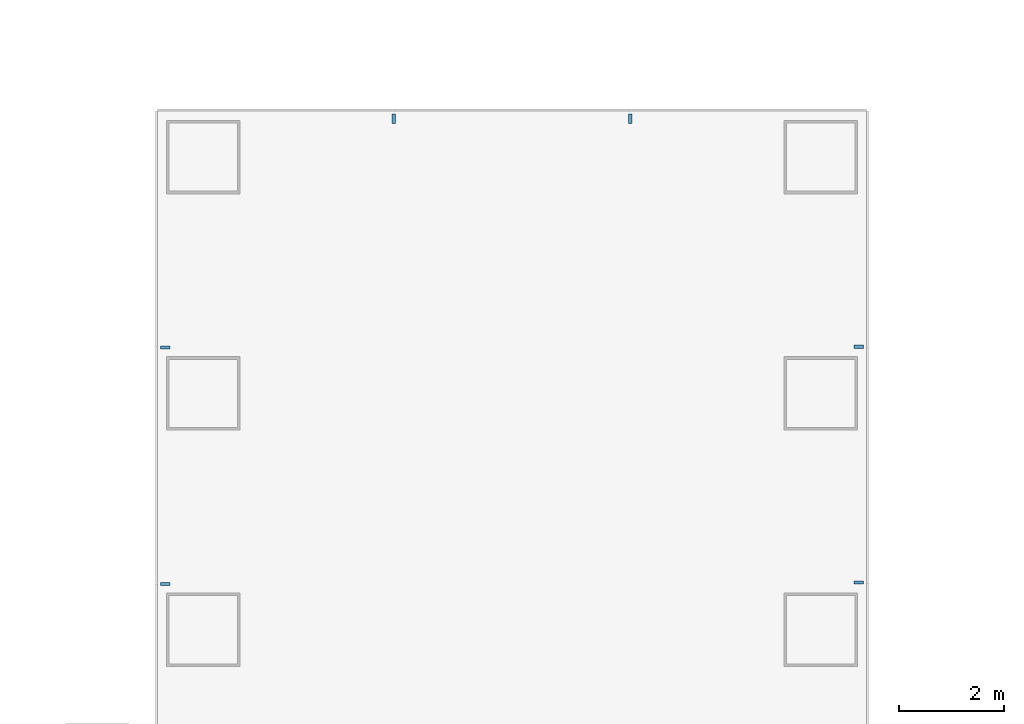
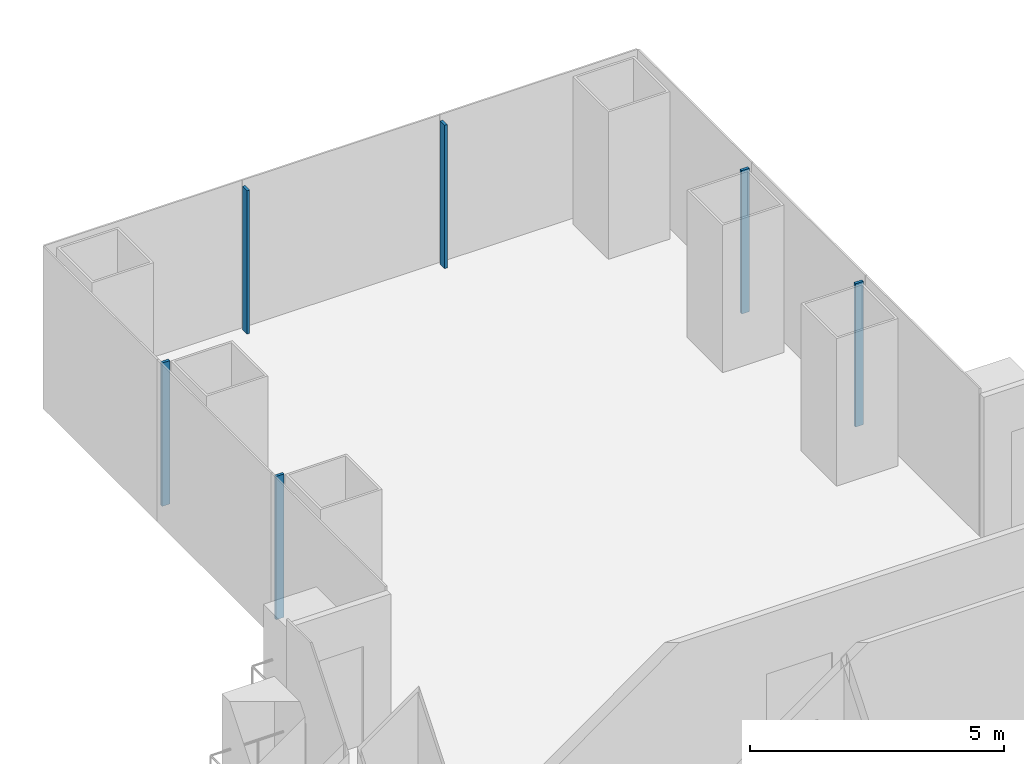
# One storey, part 6 of 21: 6 members, 3 elements without a shape of their own.
"""IFC4 building model written with IfcOpenShell, lengths in metres."""

import ifcopenshell
import ifcopenshell.guid

model = None  # the IFC model being written
_history = None  # IfcOwnerHistory: only IFC2X3 demands one
_inside = {}  # id of a spatial element -> (the spatial element, [elements in it])
_under = {}  # id of a project, library or spatial element -> (it, [spatial elements below it])
_declared = {}  # id of a project -> (the project, [libraries it declares])
_typed = {}  # id of a type object -> (the type object, [elements of that type])
_made_of = {}  # id of a material, layer set ... -> (it, [elements and type objects made of it])


def new_model(schema):
    """Start an empty IFC model of exactly this schema.

    Asked for "IFC4X3", IfcOpenShell would pick the latest addendum, in which some entities
    have other attributes; the version numbers below select the first issue.
    IFC2X3 requires an IfcOwnerHistory on every rooted entity: one is made here for all.
    """
    global model, _history
    if schema == "IFC4X3":
        model = ifcopenshell.file(schema_version=(4, 3, 0, 0))
    else:
        model = ifcopenshell.file(schema=schema)
    _inside.clear()
    _under.clear()
    _declared.clear()
    _typed.clear()
    _made_of.clear()
    _history = None
    if model.schema == "IFC2X3":
        org = make("IfcOrganization", Name="unknown")
        user = make(
            "IfcPersonAndOrganization",
            ThePerson=make("IfcPerson", FamilyName="unknown"),
            TheOrganization=org,
        )
        app = make(
            "IfcApplication",
            ApplicationDeveloper=org,
            Version="unknown",
            ApplicationFullName="unknown",
            ApplicationIdentifier="unknown",
        )
        _history = make(
            "IfcOwnerHistory",
            OwningUser=user,
            OwningApplication=app,
            ChangeAction="ADDED",
            CreationDate=0,
        )
    return model


def make(cls, **values):
    """One entity of the class cls with the attributes given. An attribute that is None is left unset."""
    return model.create_entity(
        cls, **{name: value for name, value in values.items() if value is not None}
    )


def rooted(cls, **values):
    """An entity with a GlobalId (a new one), such as an element, a storey or a relation."""
    return make(cls, GlobalId=ifcopenshell.guid.new(), OwnerHistory=_history, **values)


def si_unit(unit_type, name, prefix=None):
    """IfcSIUnit, for example si_unit("LENGTHUNIT", "METRE", prefix="MILLI")."""
    return make("IfcSIUnit", UnitType=unit_type, Prefix=prefix, Name=name)


def assignment(units):
    """IfcUnitAssignment: the units of a project."""
    return None if units is None else make("IfcUnitAssignment", Units=units)


def point(xyz):
    """IfcCartesianPoint."""
    return None if xyz is None else make("IfcCartesianPoint", Coordinates=xyz)


def direction(xyz):
    """IfcDirection."""
    return None if xyz is None else make("IfcDirection", DirectionRatios=xyz)


def frame(location, z_axis=None, x_axis=None):
    """IfcAxis2Placement3D, a coordinate frame: its origin and axes. An axis left out is left unset."""
    return make(
        "IfcAxis2Placement3D",
        Location=point(location),
        Axis=direction(z_axis),
        RefDirection=direction(x_axis),
    )


def frame_2d(location, x_axis=None):
    """IfcAxis2Placement2D, a coordinate frame in the plane: its origin and x axis."""
    return make(
        "IfcAxis2Placement2D", Location=point(location), RefDirection=direction(x_axis)
    )


def origin():
    """The frame at (0, 0, 0) with its axes left unset."""
    return frame((0.0, 0.0, 0.0))


def origin_2d():
    """The frame at (0, 0) in the plane with its x axis left unset."""
    return frame_2d((0.0, 0.0))


def place(relative_to, where):
    """IfcLocalPlacement: puts the frame where relative to a parent placement (None: the world)."""
    return make(
        "IfcLocalPlacement", PlacementRelTo=relative_to, RelativePlacement=where
    )


def context(
    kind, dimensions, precision=None, world=None, true_north=None, identifier=None
):
    """IfcGeometricRepresentationContext, for example the 3D "Model" context."""
    return make(
        "IfcGeometricRepresentationContext",
        ContextIdentifier=identifier,
        ContextType=kind,
        CoordinateSpaceDimension=dimensions,
        Precision=precision,
        WorldCoordinateSystem=world,
        TrueNorth=true_north,
    )


def subcontext(parent, identifier, kind, view, scale=None):
    """IfcGeometricRepresentationSubContext, for example "Body" below "Model"."""
    return make(
        "IfcGeometricRepresentationSubContext",
        ContextIdentifier=identifier,
        ContextType=kind,
        ParentContext=parent,
        TargetScale=scale,
        TargetView=view,
    )


def project(units=None, contexts=None):
    """IfcProject with its units and contexts."""
    return rooted(
        "IfcProject",
        Name="project",
        RepresentationContexts=contexts,
        UnitsInContext=assignment(units),
    )


def spatial(cls, under=None, at=None, **own):
    """A site, building, storey or space (cls), placed at a placement, below another one or the project."""
    s = rooted(cls, ObjectPlacement=at, **own)
    if under is not None:
        _under.setdefault(under.id(), (under, []))[1].append(s)
    return s


def profile(cls, at=None, kind="AREA", **sizes):
    """A parametric profile (cls). Its sizes go by their IFC names, for example OverallWidth=200.0."""
    return make(cls, ProfileType=kind, Position=at, **sizes)


def rectangle(**sizes):
    """IfcRectangleProfileDef."""
    return profile("IfcRectangleProfileDef", **sizes)


def extrude(swept, where, along, depth):
    """IfcExtrudedAreaSolid: the profile swept, set in the frame where, extruded along a direction by depth."""
    return make(
        "IfcExtrudedAreaSolid",
        SweptArea=swept,
        Position=where,
        ExtrudedDirection=direction(along),
        Depth=depth,
    )


def shape(context_of_items, identifier, shape_type, items):
    """IfcShapeRepresentation: the items that make up one representation, for example the "Body"."""
    return make(
        "IfcShapeRepresentation",
        ContextOfItems=context_of_items,
        RepresentationIdentifier=identifier,
        RepresentationType=shape_type,
        Items=items,
    )


def material(Name=None, Category=None):
    """IfcMaterial."""
    return make("IfcMaterial", Name=Name, Category=Category)


def layer(
    of_material, thickness, ventilated=None, Name=None, Category=None, Priority=None
):
    """IfcMaterialLayer: one layer of a wall or slab, of a material (None: an air gap)."""
    return make(
        "IfcMaterialLayer",
        Material=of_material,
        LayerThickness=thickness,
        IsVentilated=ventilated,
        Name=Name,
        Category=Category,
        Priority=Priority,
    )


def layer_set(layers, Name=None):
    """IfcMaterialLayerSet."""
    return make("IfcMaterialLayerSet", MaterialLayers=layers, LayerSetName=Name)


def material_profile(
    of_material, cross_section, Name=None, Category=None, Priority=None
):
    """IfcMaterialProfile: a cross section and its material."""
    return make(
        "IfcMaterialProfile",
        Name=Name,
        Material=of_material,
        Profile=cross_section,
        Priority=Priority,
        Category=Category,
    )


def profile_set(profiles, Name=None, composite=None):
    """IfcMaterialProfileSet."""
    return make(
        "IfcMaterialProfileSet",
        Name=Name,
        MaterialProfiles=profiles,
        CompositeProfile=composite,
    )


def made_of(thing, what):
    """Note that an element or type object is made of a material, layer set ...; save() writes the relation."""
    if what is not None:
        _made_of.setdefault(what.id(), (what, []))[1].append(thing)
    return thing


def type_object(cls, material=None, **own):
    """A type object (cls), such as IfcWallType, which elements share."""
    return made_of(rooted(cls, **own), material)


def element(
    cls,
    number,
    at=None,
    inside=None,
    cuts=None,
    type_object=None,
    material=None,
    context=None,
    identifier="Body",
    shape_type=None,
    held_by="IfcProductDefinitionShape",
    body=None,
    shapes=None,
    **own,
):
    """One element of the class cls, such as IfcWall. Its Tag is "e" and its number.

    at: its placement. inside: the storey or other place that contains it. cuts: it is an
    opening in that element (IfcRelVoidsElement). A single representation is given by context,
    identifier, shape_type and body (its items); several are given by shapes. held_by: the class
    of the entity that holds the representations. save() writes the other relations.
    """
    e = rooted(cls, Tag="e%d" % number, ObjectPlacement=at, **own)
    if body is not None:
        shapes = [shape(context, identifier, shape_type, body)]
    if shapes is not None:
        e.Representation = make(held_by, Representations=shapes)
    if inside is not None:
        _inside.setdefault(inside.id(), (inside, []))[1].append(e)
    if cuts is not None:
        rooted(
            "IfcRelVoidsElement", RelatingBuildingElement=cuts, RelatedOpeningElement=e
        )
    if type_object is not None:
        _typed.setdefault(type_object.id(), (type_object, []))[1].append(e)
    return made_of(e, material)


def aggregate(whole, parts):
    """IfcRelAggregates: a whole, such as a stair, and the parts it consists of."""
    return rooted("IfcRelAggregates", RelatingObject=whole, RelatedObjects=parts)


def save(model, path):
    """Write the relations noted so far, then the file.

    IfcRelAggregates (storeys below a building ...), IfcRelContainedInSpatialStructure (elements
    in a storey), IfcRelDefinesByType, IfcRelAssociatesMaterial and IfcRelDeclares: one each for
    every whole, place, type object, material and project.
    """
    for whole, parts in _under.values():
        aggregate(whole, parts)
    for where, things in _inside.values():
        rooted(
            "IfcRelContainedInSpatialStructure",
            RelatedElements=things,
            RelatingStructure=where,
        )
    for kind, things in _typed.values():
        rooted("IfcRelDefinesByType", RelatedObjects=things, RelatingType=kind)
    for what, things in _made_of.values():
        rooted("IfcRelAssociatesMaterial", RelatedObjects=things, RelatingMaterial=what)
    for by, libraries in _declared.values():
        rooted("IfcRelDeclares", RelatingContext=by, RelatedDefinitions=libraries)
    model.write(path)


model = new_model("IFC4")

# Units and contexts
model_context = context("Model", 3, precision=1e-05, world=origin(), true_north=direction((0.0, 1.0)))
body_context = subcontext(model_context, "Body", "Model", "MODEL_VIEW")
ifc_project = project(units=[si_unit("LENGTHUNIT", "METRE"), si_unit("AREAUNIT", "SQUARE_METRE"), si_unit("VOLUMEUNIT", "CUBIC_METRE"), si_unit("PLANEANGLEUNIT", "RADIAN"), si_unit("MASSUNIT", "GRAM", prefix="KILO")], contexts=[model_context])

# Site, building, storey
site_placement = place(None, origin())
site = spatial("IfcSite", under=ifc_project, at=site_placement, CompositionType="ELEMENT")
building_placement = place(site_placement, origin())
building = spatial("IfcBuilding", under=site, at=building_placement, Name="Shamsa Quay Exchange Towers", CompositionType="ELEMENT")
storey_placement = place(building_placement, frame((0.0, 0.0, 61.5)))
storey = spatial("IfcBuildingStorey", under=building, at=storey_placement, Name="L13", CompositionType="ELEMENT", Elevation=61.5)

# Curtain wall, members
ifc_material = material(Name="Aluminium EN AW-6063 T6, black anodised", Category="aluminium")
ifc_layer = layer(ifc_material, 0.280029296875)
ifc_layer_set = layer_set([ifc_layer], Name="CW-1 UNITISED VISION GLASS")
curtain_wall_type = type_object("IfcCurtainWallType", Name="CW-1 UNITISED VISION GLASS", PredefinedType="NOTDEFINED", material=ifc_layer_set)
curtain_wall_1_placement = place(storey_placement, origin())
curtain_wall_1 = element("IfcCurtainWall", 1, at=curtain_wall_1_placement, inside=storey, type_object=curtain_wall_type, Name="CW1 T1-FLK-V+E L13", PredefinedType="NOTDEFINED")
ifc_material_profile = material_profile(ifc_material, rectangle(XDim=0.179931640625, YDim=0.06005859375, at=origin_2d()), Name="MU60x180")
ifc_profile_set = profile_set([ifc_material_profile], Name="Aluminium EN AW-6063 T6, black anodised")
member_type = type_object("IfcMemberType", Name="CW1 MULLION 60x180", PredefinedType="MULLION", material=ifc_profile_set)
member_1_placement = place(storey_placement, frame((-27.14990234375, 15.775390625, 0.0), z_axis=(0.0, 0.0, 1.0), x_axis=(-1.0, 0.0, 0.0)))
member_1 = element("IfcMember", 2, at=member_1_placement, type_object=member_type, Name="CW1 mullion", PredefinedType="MULLION", context=body_context, shape_type="SweptSolid", body=[
    extrude(rectangle(XDim=0.179931640625, YDim=0.06005859375, at=origin_2d()), origin(), (0.0, 0.0, 1.0), 3.449951171875),
])
member_2_placement = place(storey_placement, frame((-27.14990234375, 20.2626953125, 0.0), z_axis=(0.0, 0.0, 1.0), x_axis=(-1.0, 0.0, 0.0)))
member_2 = element("IfcMember", 3, at=member_2_placement, type_object=member_type, Name="CW1 mullion", PredefinedType="MULLION", context=body_context, shape_type="SweptSolid", body=[
    extrude(rectangle(XDim=0.179931640625, YDim=0.06005859375, at=origin_2d()), origin(), (0.0, 0.0, 1.0), 3.449951171875),
])
aggregate(curtain_wall_1, [member_1, member_2])

curtain_wall_2_placement = place(storey_placement, origin())
curtain_wall_2 = element("IfcCurtainWall", 4, at=curtain_wall_2_placement, inside=storey, type_object=curtain_wall_type, Name="CW1 T1-END-V+ L13", PredefinedType="NOTDEFINED")
member_3_placement = place(storey_placement, frame((-31.5, 24.60009765625, 0.0), z_axis=(0.0, 0.0, 1.0), x_axis=(0.0, -1.0, 0.0)))
member_3 = element("IfcMember", 5, at=member_3_placement, type_object=member_type, Name="CW1 mullion", PredefinedType="MULLION", context=body_context, shape_type="SweptSolid", body=[
    extrude(rectangle(XDim=0.179931640625, YDim=0.06005859375, at=origin_2d()), origin(), (0.0, 0.0, 1.0), 3.449951171875),
])
member_4_placement = place(storey_placement, frame((-36.0, 24.60009765625, 0.0), z_axis=(0.0, 0.0, 1.0), x_axis=(0.0, -1.0, 0.0)))
member_4 = element("IfcMember", 6, at=member_4_placement, type_object=member_type, Name="CW1 mullion", PredefinedType="MULLION", context=body_context, shape_type="SweptSolid", body=[
    extrude(rectangle(XDim=0.179931640625, YDim=0.06005859375, at=origin_2d()), origin(), (0.0, 0.0, 1.0), 3.449951171875),
])
aggregate(curtain_wall_2, [member_3, member_4])

curtain_wall_3_placement = place(storey_placement, origin())
curtain_wall_3 = element("IfcCurtainWall", 7, at=curtain_wall_3_placement, inside=storey, type_object=curtain_wall_type, Name="CW1 T1-FLK-V+W L13", PredefinedType="NOTDEFINED")
member_5_placement = place(storey_placement, frame((-40.35009765625, 20.25, 0.0)))
member_5 = element("IfcMember", 8, at=member_5_placement, type_object=member_type, Name="CW1 mullion", PredefinedType="MULLION", context=body_context, shape_type="SweptSolid", body=[
    extrude(rectangle(XDim=0.179931640625, YDim=0.06005859375, at=origin_2d()), origin(), (0.0, 0.0, 1.0), 3.449951171875),
])
member_6_placement = place(storey_placement, frame((-40.35009765625, 15.75, 0.0)))
member_6 = element("IfcMember", 9, at=member_6_placement, type_object=member_type, Name="CW1 mullion", PredefinedType="MULLION", context=body_context, shape_type="SweptSolid", body=[
    extrude(rectangle(XDim=0.179931640625, YDim=0.06005859375, at=origin_2d()), origin(), (0.0, 0.0, 1.0), 3.449951171875),
])
aggregate(curtain_wall_3, [member_5, member_6])

save(model, "model.ifc")
